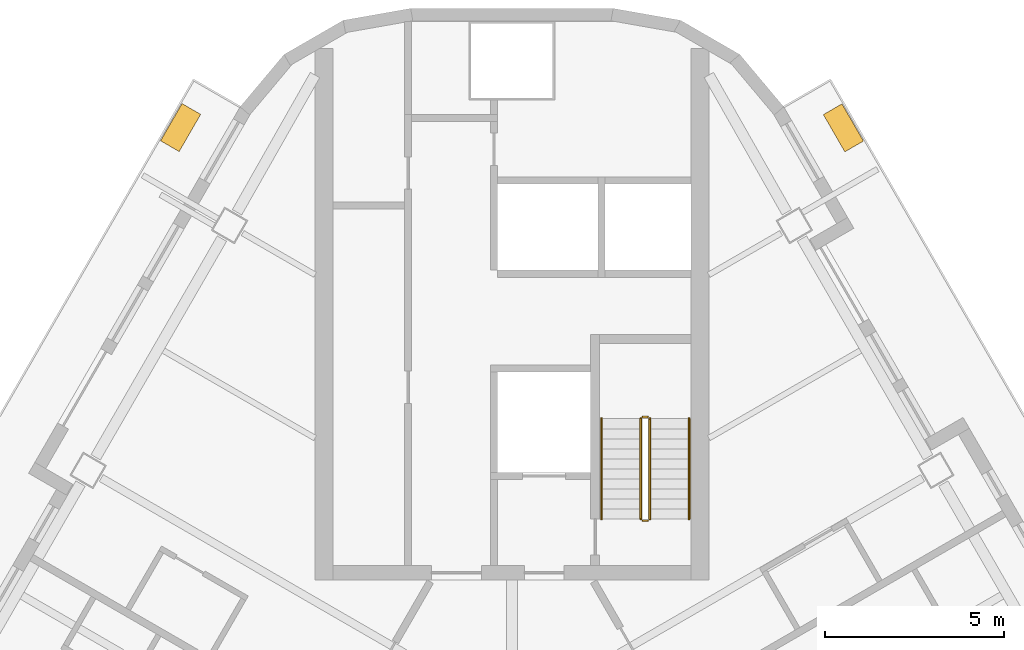
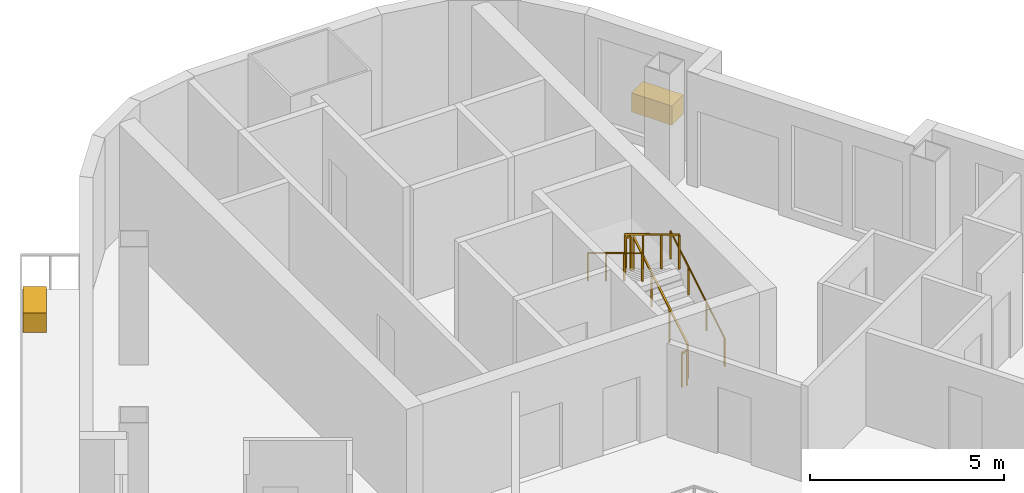
# One storey, part 13 of 13: 6 railings, 2 coverings.
"""IFC4 building model written with IfcOpenShell, lengths in metres."""

from ifc_helpers import new_model, si_unit, direction, frame, origin, origin_2d, place, context, subcontext, project, spatial, rectangle, circle, extrude, material, type_object, element, save


model = new_model("IFC4")

# Units and contexts
model_context = context("Model", 3, precision=1e-05, world=origin(), true_north=direction((0.0, 1.0)))
body_context = subcontext(model_context, "Body", "Model", "MODEL_VIEW")
ifc_project = project(units=[si_unit("LENGTHUNIT", "METRE"), si_unit("AREAUNIT", "SQUARE_METRE"), si_unit("VOLUMEUNIT", "CUBIC_METRE"), si_unit("PLANEANGLEUNIT", "RADIAN"), si_unit("MASSUNIT", "GRAM", prefix="KILO")], contexts=[model_context])

# Site, building, storey
site_placement = place(None, origin())
site = spatial("IfcSite", under=ifc_project, at=site_placement, CompositionType="ELEMENT")
building_placement = place(site_placement, origin())
building = spatial("IfcBuilding", under=site, at=building_placement, Name="Apuvela Tower Hotel", CompositionType="ELEMENT")
storey_placement = place(building_placement, frame((0.0, 0.0, 187.300048828125)))
storey = spatial("IfcBuildingStorey", under=building, at=storey_placement, Name="L45", CompositionType="ELEMENT", Elevation=187.300048828125)

# Railings
ifc_material_1 = material(Name="Steel S275 balustrade", Category="steel")
railing_type_1 = type_object("IfcRailingType", Name="COR-GUARD-1100", PredefinedType="GUARDRAIL", material=ifc_material_1)
railing_1_placement = place(storey_placement, frame((3.85009765625, 14.60009765625, 0.168212890625)))
element("IfcRailing", 1, at=railing_1_placement, inside=storey, type_object=railing_type_1, Name="L45 ST1 stair guard 1", PredefinedType="GUARDRAIL", context=body_context, shape_type="SweptSolid", body=[
    extrude(rectangle(XDim=0.048095703125, YDim=0.048095703125, at=origin_2d()), frame((0.0, 0.0, 1.076171875), z_axis=(0.0, 0.857255387014, 0.514891446264), x_axis=(-1.0, 0.0, 0.0)), (0.0, 0.0, 1.0), 3.26611328125),
    extrude(rectangle(XDim=0.0419921875, YDim=0.0419921875, at=origin_2d()), origin(), (0.0, 0.0, 1.0), 1.052001953125),
    extrude(rectangle(XDim=0.0419921875, YDim=0.0419921875, at=origin_2d()), frame((0.0, 0.933349609375, 0.560546875)), (0.0, 0.0, 1.0), 1.052001953125),
    extrude(rectangle(XDim=0.0419921875, YDim=0.0419921875, at=origin_2d()), frame((0.0, 1.866455078125, 1.12109375)), (0.0, 0.0, 1.0), 1.052001953125),
    extrude(rectangle(XDim=0.0419921875, YDim=0.0419921875, at=origin_2d()), frame((0.0, 2.7998046875, 1.681640625)), (0.0, 0.0, 1.0), 1.052001953125),
])
railing_2_placement = place(storey_placement, frame((3.800048828125, 17.449951171875, 1.849853515625)))
element("IfcRailing", 2, at=railing_2_placement, inside=storey, type_object=railing_type_1, Name="L45 ST1 stair guard 2", PredefinedType="GUARDRAIL", context=body_context, shape_type="SweptSolid", body=[
    extrude(rectangle(XDim=0.048095703125, YDim=0.048095703125, at=origin_2d()), frame((0.0, 0.0, 1.076171875), z_axis=(-1.0, 0.0, 0.0), x_axis=(0.0, -1.0, 0.0)), (0.0, 0.0, 1.0), 0.150146484375),
    extrude(rectangle(XDim=0.0419921875, YDim=0.0419921875, at=origin_2d()), origin(), (0.0, 0.0, 1.0), 1.052001953125),
    extrude(rectangle(XDim=0.0419921875, YDim=0.0419921875, at=origin_2d()), frame((-0.150146484375, 0.0, 0.0)), (0.0, 0.0, 1.0), 1.052001953125),
])
railing_3_placement = place(storey_placement, frame((3.60009765625, 17.39990234375, 2.01806640625)))
element("IfcRailing", 3, at=railing_3_placement, inside=storey, type_object=railing_type_1, Name="L45 ST1 stair guard 3", PredefinedType="GUARDRAIL", context=body_context, shape_type="SweptSolid", body=[
    extrude(rectangle(XDim=0.048095703125, YDim=0.048095703125, at=origin_2d()), frame((0.0, 0.0, 1.076171875), z_axis=(0.0, -0.857222391501, 0.514946377315), x_axis=(1.0, 0.0, 0.0)), (0.0, 0.0, 1.0), 3.26611328125),
    extrude(rectangle(XDim=0.0419921875, YDim=0.0419921875, at=origin_2d()), origin(), (0.0, 0.0, 1.0), 1.052001953125),
    extrude(rectangle(XDim=0.0419921875, YDim=0.0419921875, at=origin_2d()), frame((0.0, -0.933349609375, 0.560546875)), (0.0, 0.0, 1.0), 1.052001953125),
    extrude(rectangle(XDim=0.0419921875, YDim=0.0419921875, at=origin_2d()), frame((0.0, -1.866455078125, 1.121337890625)), (0.0, 0.0, 1.0), 1.052001953125),
    extrude(rectangle(XDim=0.0419921875, YDim=0.0419921875, at=origin_2d()), frame((0.0, -2.7998046875, 1.681884765625)), (0.0, 0.0, 1.0), 1.052001953125),
])
railing_4_placement = place(storey_placement, frame((3.800048828125, 14.550048828125, 0.0)))
element("IfcRailing", 4, at=railing_4_placement, inside=storey, type_object=railing_type_1, Name="L45 ST1 stair guard 4", PredefinedType="GUARDRAIL", context=body_context, shape_type="SweptSolid", body=[
    extrude(rectangle(XDim=0.048095703125, YDim=0.048095703125, at=origin_2d()), frame((0.0, 0.0, 1.076171875), z_axis=(-1.0, 0.0, 0.0), x_axis=(0.0, -1.0, 0.0)), (0.0, 0.0, 1.0), 0.150146484375),
    extrude(rectangle(XDim=0.0419921875, YDim=0.0419921875, at=origin_2d()), origin(), (0.0, 0.0, 1.0), 1.052001953125),
    extrude(rectangle(XDim=0.0419921875, YDim=0.0419921875, at=origin_2d()), frame((-0.150146484375, 0.0, 0.0)), (0.0, 0.0, 1.0), 1.052001953125),
])
ifc_material_2 = material(Name="Stainless steel 316 handrail", Category="steel")
railing_type_2 = type_object("IfcRailingType", Name="COR-HANDRAIL-900", PredefinedType="HANDRAIL", material=ifc_material_2)
railing_5_placement = place(storey_placement, frame((4.949951171875, 14.60009765625, 0.168212890625)))
element("IfcRailing", 5, at=railing_5_placement, inside=storey, type_object=railing_type_2, Name="L45 ST1 stair handrail 1", PredefinedType="HANDRAIL", context=body_context, shape_type="SweptSolid", body=[
    extrude(circle(Radius=0.02392578125, at=origin_2d()), frame((0.0, 0.0, 0.8759765625), z_axis=(0.0, 0.857255387014, 0.514891446264), x_axis=(-1.0, 0.0, 0.0)), (0.0, 0.0, 1.0), 3.26611328125),
    extrude(rectangle(XDim=0.0419921875, YDim=0.0419921875, at=origin_2d()), origin(), (0.0, 0.0, 1.0), 0.851806640625),
    extrude(rectangle(XDim=0.0419921875, YDim=0.0419921875, at=origin_2d()), frame((0.0, 0.933349609375, 0.560546875)), (0.0, 0.0, 1.0), 0.851806640625),
    extrude(rectangle(XDim=0.0419921875, YDim=0.0419921875, at=origin_2d()), frame((0.0, 1.866455078125, 1.12109375)), (0.0, 0.0, 1.0), 0.851806640625),
    extrude(rectangle(XDim=0.0419921875, YDim=0.0419921875, at=origin_2d()), frame((0.0, 2.7998046875, 1.681640625)), (0.0, 0.0, 1.0), 0.851806640625),
])
railing_6_placement = place(storey_placement, frame((2.5, 17.39990234375, 2.01806640625)))
element("IfcRailing", 6, at=railing_6_placement, inside=storey, type_object=railing_type_2, Name="L45 ST1 stair handrail 2", PredefinedType="HANDRAIL", context=body_context, shape_type="SweptSolid", body=[
    extrude(circle(Radius=0.02392578125, at=origin_2d()), frame((0.0, 0.0, 0.8759765625), z_axis=(0.0, -0.857222391501, 0.514946377315), x_axis=(1.0, 0.0, 0.0)), (0.0, 0.0, 1.0), 3.26611328125),
    extrude(rectangle(XDim=0.0419921875, YDim=0.0419921875, at=origin_2d()), origin(), (0.0, 0.0, 1.0), 0.851806640625),
    extrude(rectangle(XDim=0.0419921875, YDim=0.0419921875, at=origin_2d()), frame((0.0, -0.933349609375, 0.560546875)), (0.0, 0.0, 1.0), 0.851806640625),
    extrude(rectangle(XDim=0.0419921875, YDim=0.0419921875, at=origin_2d()), frame((0.0, -1.866455078125, 1.121337890625)), (0.0, 0.0, 1.0), 0.851806640625),
    extrude(rectangle(XDim=0.0419921875, YDim=0.0419921875, at=origin_2d()), frame((0.0, -2.7998046875, 1.681884765625)), (0.0, 0.0, 1.0), 0.851806640625),
])

# Coverings
ifc_material_3 = material(Name="Planting substrate and soil, planted")
covering_type = type_object("IfcCoveringType", Name="ENV-PLANTER-1200x600", PredefinedType="USERDEFINED", material=ifc_material_3)
for number, where, z_axis, x_axis, name in (
    (7, (9.2578125, 25.52490234375, 0.0), (0.0, 0.0, 1.0), (-0.5, 0.866025403784, 0.0), "Planter NE3"),
    (8, (-9.253662109375, 25.5322265625, 0.0), (0.0, 0.0, 1.0), (-0.5, -0.866025403784, 0.0), "Planter NW4"),
):
    element("IfcCovering", number, at=place(storey_placement, frame(where, z_axis=z_axis, x_axis=x_axis)), inside=storey, type_object=covering_type, Name=name, ObjectType="PLANTER", PredefinedType="USERDEFINED", context=body_context, shape_type="SweptSolid", body=[
        extrude(rectangle(XDim=1.199951171875, YDim=0.60009765625, at=origin_2d()), origin(), (0.0, 0.0, 1.0), 0.60009765625),
    ])

save(model, "model.ifc")
